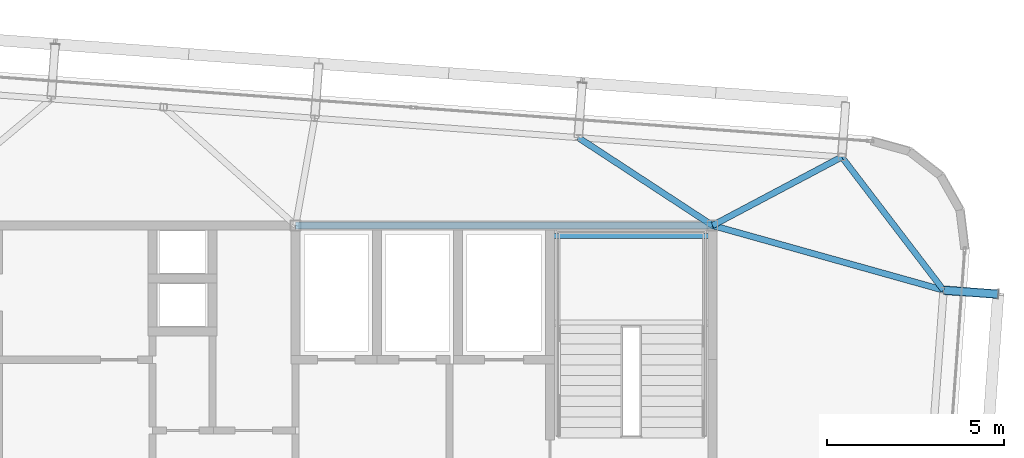
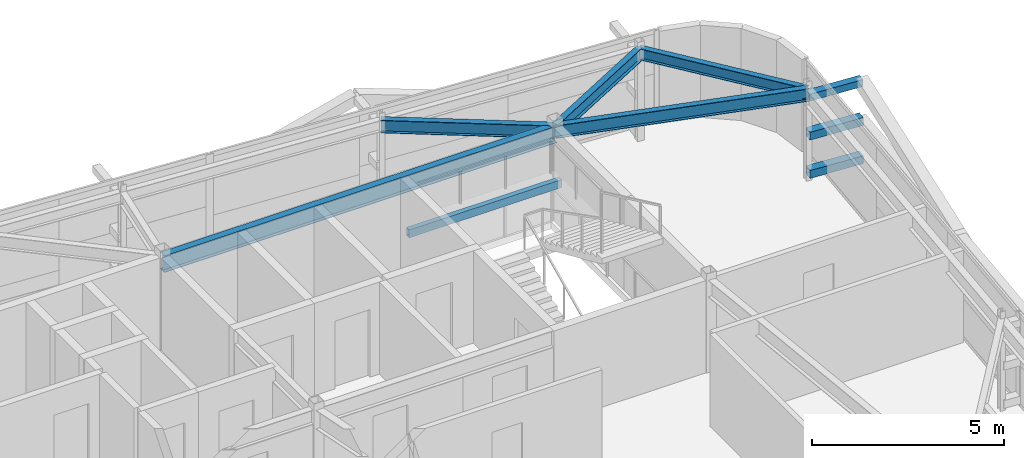
# One storey, part 18 of 34: 6 beams, 3 members.
"""IFC4 building model written with IfcOpenShell, lengths in metres."""

import ifcopenshell
import ifcopenshell.guid

model = None  # the IFC model being written
_history = None  # IfcOwnerHistory: only IFC2X3 demands one
_inside = {}  # id of a spatial element -> (the spatial element, [elements in it])
_under = {}  # id of a project, library or spatial element -> (it, [spatial elements below it])
_declared = {}  # id of a project -> (the project, [libraries it declares])
_typed = {}  # id of a type object -> (the type object, [elements of that type])
_made_of = {}  # id of a material, layer set ... -> (it, [elements and type objects made of it])


def new_model(schema):
    """Start an empty IFC model of exactly this schema.

    Asked for "IFC4X3", IfcOpenShell would pick the latest addendum, in which some entities
    have other attributes; the version numbers below select the first issue.
    IFC2X3 requires an IfcOwnerHistory on every rooted entity: one is made here for all.
    """
    global model, _history
    if schema == "IFC4X3":
        model = ifcopenshell.file(schema_version=(4, 3, 0, 0))
    else:
        model = ifcopenshell.file(schema=schema)
    _inside.clear()
    _under.clear()
    _declared.clear()
    _typed.clear()
    _made_of.clear()
    _history = None
    if model.schema == "IFC2X3":
        org = make("IfcOrganization", Name="unknown")
        user = make(
            "IfcPersonAndOrganization",
            ThePerson=make("IfcPerson", FamilyName="unknown"),
            TheOrganization=org,
        )
        app = make(
            "IfcApplication",
            ApplicationDeveloper=org,
            Version="unknown",
            ApplicationFullName="unknown",
            ApplicationIdentifier="unknown",
        )
        _history = make(
            "IfcOwnerHistory",
            OwningUser=user,
            OwningApplication=app,
            ChangeAction="ADDED",
            CreationDate=0,
        )
    return model


def make(cls, **values):
    """One entity of the class cls with the attributes given. An attribute that is None is left unset."""
    return model.create_entity(
        cls, **{name: value for name, value in values.items() if value is not None}
    )


def rooted(cls, **values):
    """An entity with a GlobalId (a new one), such as an element, a storey or a relation."""
    return make(cls, GlobalId=ifcopenshell.guid.new(), OwnerHistory=_history, **values)


def si_unit(unit_type, name, prefix=None):
    """IfcSIUnit, for example si_unit("LENGTHUNIT", "METRE", prefix="MILLI")."""
    return make("IfcSIUnit", UnitType=unit_type, Prefix=prefix, Name=name)


def assignment(units):
    """IfcUnitAssignment: the units of a project."""
    return None if units is None else make("IfcUnitAssignment", Units=units)


def point(xyz):
    """IfcCartesianPoint."""
    return None if xyz is None else make("IfcCartesianPoint", Coordinates=xyz)


def direction(xyz):
    """IfcDirection."""
    return None if xyz is None else make("IfcDirection", DirectionRatios=xyz)


def frame(location, z_axis=None, x_axis=None):
    """IfcAxis2Placement3D, a coordinate frame: its origin and axes. An axis left out is left unset."""
    return make(
        "IfcAxis2Placement3D",
        Location=point(location),
        Axis=direction(z_axis),
        RefDirection=direction(x_axis),
    )


def frame_2d(location, x_axis=None):
    """IfcAxis2Placement2D, a coordinate frame in the plane: its origin and x axis."""
    return make(
        "IfcAxis2Placement2D", Location=point(location), RefDirection=direction(x_axis)
    )


def origin():
    """The frame at (0, 0, 0) with its axes left unset."""
    return frame((0.0, 0.0, 0.0))


def origin_2d():
    """The frame at (0, 0) in the plane with its x axis left unset."""
    return frame_2d((0.0, 0.0))


def place(relative_to, where):
    """IfcLocalPlacement: puts the frame where relative to a parent placement (None: the world)."""
    return make(
        "IfcLocalPlacement", PlacementRelTo=relative_to, RelativePlacement=where
    )


def context(
    kind, dimensions, precision=None, world=None, true_north=None, identifier=None
):
    """IfcGeometricRepresentationContext, for example the 3D "Model" context."""
    return make(
        "IfcGeometricRepresentationContext",
        ContextIdentifier=identifier,
        ContextType=kind,
        CoordinateSpaceDimension=dimensions,
        Precision=precision,
        WorldCoordinateSystem=world,
        TrueNorth=true_north,
    )


def subcontext(parent, identifier, kind, view, scale=None):
    """IfcGeometricRepresentationSubContext, for example "Body" below "Model"."""
    return make(
        "IfcGeometricRepresentationSubContext",
        ContextIdentifier=identifier,
        ContextType=kind,
        ParentContext=parent,
        TargetScale=scale,
        TargetView=view,
    )


def project(units=None, contexts=None):
    """IfcProject with its units and contexts."""
    return rooted(
        "IfcProject",
        Name="project",
        RepresentationContexts=contexts,
        UnitsInContext=assignment(units),
    )


def spatial(cls, under=None, at=None, **own):
    """A site, building, storey or space (cls), placed at a placement, below another one or the project."""
    s = rooted(cls, ObjectPlacement=at, **own)
    if under is not None:
        _under.setdefault(under.id(), (under, []))[1].append(s)
    return s


def profile(cls, at=None, kind="AREA", **sizes):
    """A parametric profile (cls). Its sizes go by their IFC names, for example OverallWidth=200.0."""
    return make(cls, ProfileType=kind, Position=at, **sizes)


def hollow_rectangle(**sizes):
    """IfcRectangleHollowProfileDef."""
    return profile("IfcRectangleHollowProfileDef", **sizes)


def i_section(**sizes):
    """IfcIShapeProfileDef."""
    return profile("IfcIShapeProfileDef", **sizes)


def extrude(swept, where, along, depth):
    """IfcExtrudedAreaSolid: the profile swept, set in the frame where, extruded along a direction by depth."""
    return make(
        "IfcExtrudedAreaSolid",
        SweptArea=swept,
        Position=where,
        ExtrudedDirection=direction(along),
        Depth=depth,
    )


def shape(context_of_items, identifier, shape_type, items):
    """IfcShapeRepresentation: the items that make up one representation, for example the "Body"."""
    return make(
        "IfcShapeRepresentation",
        ContextOfItems=context_of_items,
        RepresentationIdentifier=identifier,
        RepresentationType=shape_type,
        Items=items,
    )


def source(mapping_origin, context_of_items, identifier, shape_type, items):
    """IfcRepresentationMap: a shape defined once, which mapped items show again and again."""
    return make(
        "IfcRepresentationMap",
        MappingOrigin=mapping_origin,
        MappedRepresentation=shape(context_of_items, identifier, shape_type, items),
    )


def transform(
    local_origin,
    x_axis=None,
    y_axis=None,
    z_axis=None,
    scale=None,
    scale2=None,
    scale3=None,
    uniform=True,
):
    """IfcCartesianTransformationOperator3D, or its non-uniform kind. x_axis, y_axis, z_axis: its Axis1, 2, 3."""
    if uniform:
        return make(
            "IfcCartesianTransformationOperator3D",
            Axis1=direction(x_axis),
            Axis2=direction(y_axis),
            LocalOrigin=point(local_origin),
            Scale=scale,
            Axis3=direction(z_axis),
        )
    return make(
        "IfcCartesianTransformationOperator3DnonUniform",
        Axis1=direction(x_axis),
        Axis2=direction(y_axis),
        LocalOrigin=point(local_origin),
        Scale=scale,
        Axis3=direction(z_axis),
        Scale2=scale2,
        Scale3=scale3,
    )


def mapped(mapping_source, mapping_target):
    """IfcMappedItem: shows the shape of a source again, moved by a transform."""
    return make(
        "IfcMappedItem", MappingSource=mapping_source, MappingTarget=mapping_target
    )


def material(Name=None, Category=None):
    """IfcMaterial."""
    return make("IfcMaterial", Name=Name, Category=Category)


def material_profile(
    of_material, cross_section, Name=None, Category=None, Priority=None
):
    """IfcMaterialProfile: a cross section and its material."""
    return make(
        "IfcMaterialProfile",
        Name=Name,
        Material=of_material,
        Profile=cross_section,
        Priority=Priority,
        Category=Category,
    )


def profile_set(profiles, Name=None, composite=None):
    """IfcMaterialProfileSet."""
    return make(
        "IfcMaterialProfileSet",
        Name=Name,
        MaterialProfiles=profiles,
        CompositeProfile=composite,
    )


def made_of(thing, what):
    """Note that an element or type object is made of a material, layer set ...; save() writes the relation."""
    if what is not None:
        _made_of.setdefault(what.id(), (what, []))[1].append(thing)
    return thing


def type_object(cls, material=None, **own):
    """A type object (cls), such as IfcWallType, which elements share."""
    return made_of(rooted(cls, **own), material)


def element(
    cls,
    number,
    at=None,
    inside=None,
    cuts=None,
    type_object=None,
    material=None,
    context=None,
    identifier="Body",
    shape_type=None,
    held_by="IfcProductDefinitionShape",
    body=None,
    shapes=None,
    **own,
):
    """One element of the class cls, such as IfcWall. Its Tag is "e" and its number.

    at: its placement. inside: the storey or other place that contains it. cuts: it is an
    opening in that element (IfcRelVoidsElement). A single representation is given by context,
    identifier, shape_type and body (its items); several are given by shapes. held_by: the class
    of the entity that holds the representations. save() writes the other relations.
    """
    e = rooted(cls, Tag="e%d" % number, ObjectPlacement=at, **own)
    if body is not None:
        shapes = [shape(context, identifier, shape_type, body)]
    if shapes is not None:
        e.Representation = make(held_by, Representations=shapes)
    if inside is not None:
        _inside.setdefault(inside.id(), (inside, []))[1].append(e)
    if cuts is not None:
        rooted(
            "IfcRelVoidsElement", RelatingBuildingElement=cuts, RelatedOpeningElement=e
        )
    if type_object is not None:
        _typed.setdefault(type_object.id(), (type_object, []))[1].append(e)
    return made_of(e, material)


def aggregate(whole, parts):
    """IfcRelAggregates: a whole, such as a stair, and the parts it consists of."""
    return rooted("IfcRelAggregates", RelatingObject=whole, RelatedObjects=parts)


def save(model, path):
    """Write the relations noted so far, then the file.

    IfcRelAggregates (storeys below a building ...), IfcRelContainedInSpatialStructure (elements
    in a storey), IfcRelDefinesByType, IfcRelAssociatesMaterial and IfcRelDeclares: one each for
    every whole, place, type object, material and project.
    """
    for whole, parts in _under.values():
        aggregate(whole, parts)
    for where, things in _inside.values():
        rooted(
            "IfcRelContainedInSpatialStructure",
            RelatedElements=things,
            RelatingStructure=where,
        )
    for kind, things in _typed.values():
        rooted("IfcRelDefinesByType", RelatedObjects=things, RelatingType=kind)
    for what, things in _made_of.values():
        rooted("IfcRelAssociatesMaterial", RelatedObjects=things, RelatingMaterial=what)
    for by, libraries in _declared.values():
        rooted("IfcRelDeclares", RelatingContext=by, RelatedDefinitions=libraries)
    model.write(path)


model = new_model("IFC4")

# Units and contexts
model_context = context("Model", 3, precision=1e-05, world=origin(), true_north=direction((0.0, 1.0)))
body_context = subcontext(model_context, "Body", "Model", "MODEL_VIEW")
ifc_project = project(units=[si_unit("LENGTHUNIT", "METRE"), si_unit("AREAUNIT", "SQUARE_METRE"), si_unit("VOLUMEUNIT", "CUBIC_METRE"), si_unit("PLANEANGLEUNIT", "RADIAN"), si_unit("MASSUNIT", "GRAM", prefix="KILO")], contexts=[model_context])

# Site, building, storey
site_placement = place(None, origin())
site = spatial("IfcSite", under=ifc_project, at=site_placement, CompositionType="ELEMENT")
building_placement = place(site_placement, origin())
building = spatial("IfcBuilding", under=site, at=building_placement, Name="Taldren Reach Tower", CompositionType="ELEMENT")
storey_placement = place(building_placement, frame((0.0, 0.0, 246.050048828125)))
storey = spatial("IfcBuildingStorey", under=building, at=storey_placement, Name="L75", CompositionType="ELEMENT", Elevation=246.050048828125)

# Beams
ifc_material_1 = material(Name="Steel Gr 350 (350PLUS)", Category="steel")
ifc_material_profile_1 = material_profile(ifc_material_1, i_section(OverallWidth=0.208984375, OverallDepth=0.532958984375, WebThickness=0.01025390625, FlangeThickness=0.015625, at=origin_2d()), Name="530UB92.4")
ifc_profile_set_1 = profile_set([ifc_material_profile_1], Name="Steel Gr 350 (350PLUS)")
beam_type_1 = type_object("IfcBeamType", Name="BM-UB530A", PredefinedType="BEAM", material=ifc_profile_set_1)
shared_shape_1 = source(origin(), body_context, "Body", "SweptSolid", [
    extrude(i_section(OverallWidth=0.208984375, OverallDepth=0.532958984375, WebThickness=0.01025390625, FlangeThickness=0.015625, at=origin_2d()), origin(), (0.0, 0.0, 1.0), 11.800048828125),
])
beam_1_placement = place(storey_placement, frame((39.199951171875, 32.0, 2.663330078125), z_axis=(1.0, 0.0, 0.0), x_axis=(0.0, 1.0, 0.0)))
element("IfcBeam", 1, at=beam_1_placement, inside=storey, type_object=beam_type_1, Name="Core-spine girder L75-SP06", PredefinedType="BEAM", context=body_context, shape_type="MappedRepresentation", body=[
    mapped(shared_shape_1, transform((0.0, 0.0, 0.0), scale=1.0)),
])
ifc_material_profile_2 = material_profile(ifc_material_1, i_section(OverallWidth=0.172119140625, OverallDepth=0.35888671875, WebThickness=0.008056640625, FlangeThickness=0.012939453125, at=origin_2d()), Name="360UB56.7")
ifc_profile_set_2 = profile_set([ifc_material_profile_2], Name="Steel Gr 350 (350PLUS)")
beam_type_2 = type_object("IfcBeamType", Name="SP-UB360", PredefinedType="SPANDREL", material=ifc_profile_set_2)
shared_shape_2 = source(origin(), body_context, "Body", "SweptSolid", [
    extrude(i_section(OverallWidth=0.172119140625, OverallDepth=0.35888671875, WebThickness=0.008056640625, FlangeThickness=0.012939453125, at=origin_2d()), origin(), (0.0, 0.0, 1.0), 4.745849609375),
])
beam_2_placement = place(storey_placement, frame((57.540771484375, 30.168701171875, 2.75048828125), z_axis=(-0.607136906115, 0.79459724215, 0.0), x_axis=(-0.79459724215, -0.607136906115, 0.0)))
element("IfcBeam", 2, at=beam_2_placement, inside=storey, type_object=beam_type_2, Name="Perimeter spandrel B5 E3-N6 L75", PredefinedType="SPANDREL", context=body_context, shape_type="MappedRepresentation", body=[
    mapped(shared_shape_2, transform((0.0, 0.0, 0.0), scale=1.0)),
])
ifc_material_profile_3 = material_profile(ifc_material_1, i_section(OverallWidth=0.177978515625, OverallDepth=0.406005859375, WebThickness=0.0078125, FlangeThickness=0.0126953125, at=origin_2d()), Name="410UB59.7")
ifc_profile_set_3 = profile_set([ifc_material_profile_3], Name="Steel Gr 350 (350PLUS)")
beam_type_3 = type_object("IfcBeamType", Name="BM-UB410", PredefinedType="BEAM", material=ifc_profile_set_3)
shared_shape_3 = source(origin(), body_context, "Body", "SweptSolid", [
    extrude(i_section(OverallWidth=0.177978515625, OverallDepth=0.406005859375, WebThickness=0.0078125, FlangeThickness=0.0126953125, at=origin_2d()), origin(), (0.0, 0.0, 1.0), 6.792236328125),
])
beam_3_placement = place(storey_placement, frame((51.0, 32.0, 2.72705078125), z_axis=(0.962968499215, -0.269613926789, 0.0), x_axis=(0.269613926789, 0.962968499215, 0.0)))
element("IfcBeam", 3, at=beam_3_placement, inside=storey, type_object=beam_type_3, Name="Primary floor girder B5-E3 L75", PredefinedType="BEAM", context=body_context, shape_type="MappedRepresentation", body=[
    mapped(shared_shape_3, transform((0.0, 0.0, 0.0), scale=1.0)),
])
shared_shape_4 = source(origin(), body_context, "Body", "SweptSolid", [
    extrude(i_section(OverallWidth=0.177978515625, OverallDepth=0.406005859375, WebThickness=0.0078125, FlangeThickness=0.0126953125, at=origin_2d()), origin(), (0.0, 0.0, 1.0), 4.1416015625),
])
beam_4_placement = place(storey_placement, frame((51.0, 32.0, 2.72705078125), z_axis=(0.883552655042, 0.468331832965, 0.0), x_axis=(-0.468331832965, 0.883552655042, 0.0)))
element("IfcBeam", 4, at=beam_4_placement, inside=storey, type_object=beam_type_3, Name="Primary floor girder B5-N6 L75", PredefinedType="BEAM", context=body_context, shape_type="MappedRepresentation", body=[
    mapped(shared_shape_4, transform((0.0, 0.0, 0.0), scale=1.0)),
])
shared_shape_5 = source(origin(), body_context, "Body", "SweptSolid", [
    extrude(i_section(OverallWidth=0.177978515625, OverallDepth=0.406005859375, WebThickness=0.0078125, FlangeThickness=0.0126953125, at=origin_2d()), origin(), (0.0, 0.0, 1.0), 4.542236328125),
])
beam_5_placement = place(storey_placement, frame((51.0, 32.0, 2.72705078125), z_axis=(-0.836709129479, 0.547647544181, 0.0), x_axis=(-0.547647544181, -0.836709129479, 0.0)))
element("IfcBeam", 5, at=beam_5_placement, inside=storey, type_object=beam_type_3, Name="Primary floor girder B5-N5 L75", PredefinedType="BEAM", context=body_context, shape_type="MappedRepresentation", body=[
    mapped(shared_shape_5, transform((0.0, 0.0, 0.0), scale=1.0)),
])

# Members
ifc_material_2 = material(Name="Steel Gr 450 (C450L0)", Category="steel")
ifc_material_profile_4 = material_profile(ifc_material_2, hollow_rectangle(XDim=0.219970703125, YDim=0.219970703125, WallThickness=0.00830078125, at=origin_2d()), Name="220x220x8.2SHS")
ifc_profile_set_4 = profile_set([ifc_material_profile_4], Name="Steel Gr 450 (C450L0)")
member_type_1 = type_object("IfcMemberType", Name="MB-TIE219", PredefinedType="STRUT", material=ifc_profile_set_4)
shared_shape_6 = source(origin(), body_context, "Body", "SweptSolid", [
    extrude(hollow_rectangle(XDim=0.219970703125, YDim=0.219970703125, WallThickness=0.00830078125, at=origin_2d()), origin(), (0.0, 0.0, 1.0), 1.5458984375),
])
member_placement = place(storey_placement, frame((57.544921875, 30.168212890625, 2.64990234375), z_axis=(0.99732305975, -0.073121231459, 0.0), x_axis=(0.073121231459, 0.99732305975, 0.0)))
element("IfcMember", 6, at=member_placement, inside=storey, type_object=member_type_1, Name="Exoskeleton diaphragm tie strut B5-E3 L75", PredefinedType="STRUT", context=body_context, shape_type="MappedRepresentation", body=[
    mapped(shared_shape_6, transform((0.0, 0.0, 0.0), scale=1.0)),
])
ifc_material_3 = material(Name="Steel Gr 350 (C350L0)", Category="steel")
ifc_material_profile_5 = material_profile(ifc_material_3, hollow_rectangle(XDim=0.25, YDim=0.25, WallThickness=0.010009765625, at=origin_2d()), Name="250x250x10.0SHS")
ifc_profile_set_5 = profile_set([ifc_material_profile_5], Name="Steel Gr 350 (C350L0)")
member_type_2 = type_object("IfcMemberType", Name="MB-POST250", PredefinedType="POST", material=ifc_profile_set_5)
shared_shape_7 = source(origin(), body_context, "Body", "SweptSolid", [
    extrude(hollow_rectangle(XDim=0.25, YDim=0.25, WallThickness=0.010009765625, at=origin_2d()), origin(), (0.0, 0.0, 1.0), 1.5458984375),
])
for number, where, z_axis, x_axis, name in (
    (7, (57.544921875, 30.168212890625, 0.219970703125), (0.99732305975, -0.073121231459, 0.0), (0.073121231459, 0.99732305975, 0.0), "Exoskeleton base diaphragm tie strut B5-E3 L75"),
    (8, (57.544921875, 30.168212890625, 1.43505859375), (0.99732305975, -0.073121231459, 0.0), (0.073121231459, 0.99732305975, 0.0), "Exoskeleton mid-tier diaphragm tie B5-E3 L75"),
):
    element("IfcMember", number, at=place(storey_placement, frame(where, z_axis=z_axis, x_axis=x_axis)), inside=storey, type_object=member_type_2, Name=name, PredefinedType="POST", context=body_context, shape_type="MappedRepresentation", body=[
        mapped(shared_shape_7, transform((0.0, 0.0, 0.0), scale=1.0)),
    ])

# Beam
ifc_material_profile_6 = material_profile(ifc_material_3, hollow_rectangle(XDim=0.14990234375, YDim=0.25, WallThickness=0.009033203125, at=origin_2d()), Name="250x150x9.0RHS")
ifc_profile_set_6 = profile_set([ifc_material_profile_6], Name="Steel Gr 350 (C350L0)")
beam_type_4 = type_object("IfcBeamType", Name="LN-RHS250", PredefinedType="LINTEL", material=ifc_profile_set_6)
shared_shape_8 = source(origin(), body_context, "Body", "SweptSolid", [
    extrude(hollow_rectangle(XDim=0.14990234375, YDim=0.25, WallThickness=0.009033203125, at=origin_2d()), origin(), (0.0, 0.0, 1.0), 4.60009765625),
])
beam_6_placement = place(storey_placement, frame((46.39990234375, 31.699951171875, 1.27001953125), z_axis=(1.0, 0.0, 0.0), x_axis=(0.0, 1.0, 0.0)))
element("IfcBeam", 9, at=beam_6_placement, inside=storey, type_object=beam_type_4, Name="Stair half-landing support beam ST2-L75-2", PredefinedType="LINTEL", context=body_context, shape_type="MappedRepresentation", body=[
    mapped(shared_shape_8, transform((0.0, 0.0, 0.0), scale=1.0)),
])

save(model, "model.ifc")
